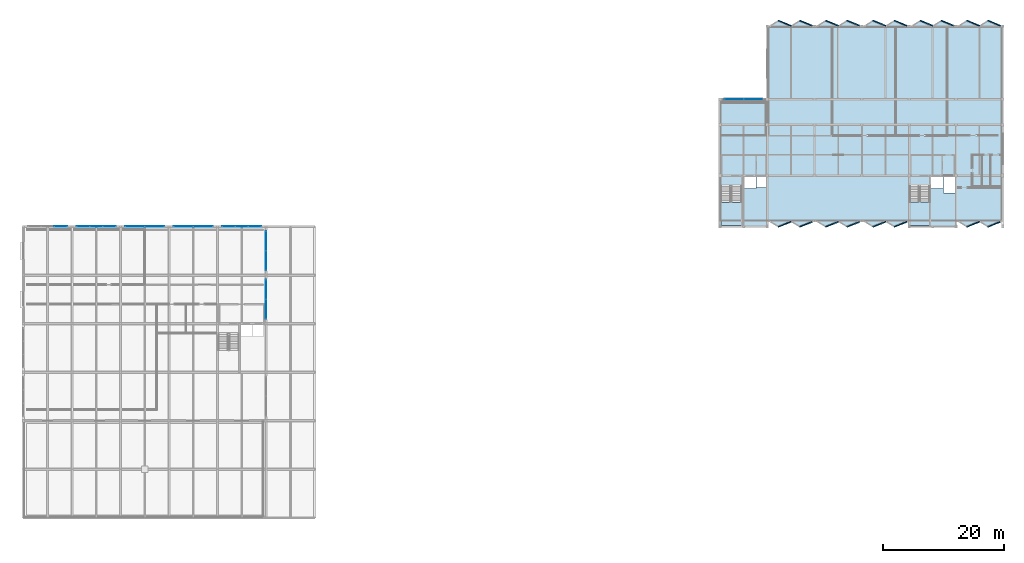
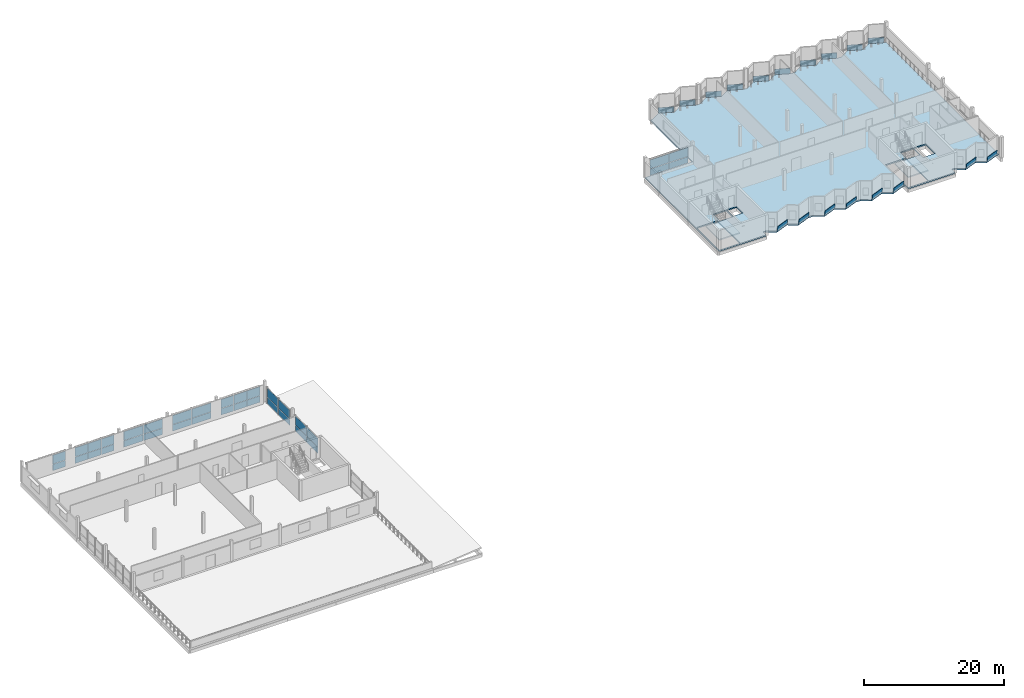
# One storey, part 12 of 25: 52 plates, 3 slabs, 10 elements without a shape of their own.
"""IFC4 building model written with IfcOpenShell, lengths in metres."""

from ifc_helpers import new_model, si_unit, direction, frame, origin, origin_2d, place, context, subcontext, project, spatial, polyline, rectangle, outline, extrude, material, layer, layer_set, type_object, element, aggregate, save


model = new_model("IFC4")

# Units and contexts
model_context = context("Model", 3, precision=1e-05, world=origin(), true_north=direction((0.0, 1.0)))
body_context = subcontext(model_context, "Body", "Model", "MODEL_VIEW")
ifc_project = project(units=[si_unit("LENGTHUNIT", "METRE"), si_unit("AREAUNIT", "SQUARE_METRE"), si_unit("VOLUMEUNIT", "CUBIC_METRE"), si_unit("PLANEANGLEUNIT", "RADIAN"), si_unit("MASSUNIT", "GRAM", prefix="KILO")], contexts=[model_context])

# Site, building, storey
site_placement = place(None, origin())
site = spatial("IfcSite", under=ifc_project, at=site_placement, CompositionType="ELEMENT")
building_placement = place(site_placement, origin())
building = spatial("IfcBuilding", under=site, at=building_placement, Name="Vharandega Faculty of Natural Sciences", CompositionType="ELEMENT")
storey_placement = place(building_placement, frame((0.0, 0.0, 25.199951171875)))
storey = spatial("IfcBuildingStorey", under=building, at=storey_placement, Name="L06", CompositionType="ELEMENT", Elevation=25.199951171875)

# Curtain wall, plates
ifc_material_1 = material(Name="Aluminium and solar-control glass curtain wall", Category="aluminium")
curtain_wall_type_1 = type_object("IfcCurtainWallType", Name="Unitised Curtain Wall System CW-28", PredefinedType="NOTDEFINED", material=ifc_material_1)
curtain_wall_1_placement = place(storey_placement, origin())
curtain_wall_1 = element("IfcCurtainWall", 1, at=curtain_wall_1_placement, inside=storey, type_object=curtain_wall_type_1, Name="Curtain Wall CW-L06-027", PredefinedType="NOTDEFINED")
ifc_material_2 = material(Name="Double-glazed low-E solar glass", Category="glass")
ifc_layer_1 = layer(ifc_material_2, 0.028076171875, Name="Double-glazed low-E solar glass")
ifc_layer_set_1 = layer_set([ifc_layer_1], Name="Double-glazed low-E solar glass")
plate_type_1 = type_object("IfcPlateType", Name="CW Solar Vision Panel 28mm", PredefinedType="CURTAIN_PANEL", material=ifc_layer_set_1)
plate_1_placement = place(storey_placement, frame((117.135009765625, 85.0, 0.06005859375), z_axis=(0.0, 0.0, 1.0), x_axis=(1.0, 0.0, 0.0)))
plate_1 = element("IfcPlate", 2, at=plate_1_placement, type_object=plate_type_1, Name="CW-28 panel 1.1", PredefinedType="CURTAIN_PANEL", context=body_context, shape_type="SweptSolid", body=[
    extrude(rectangle(XDim=3.070068359375, YDim=0.028076171875, at=origin_2d()), origin(), (0.0, 0.0, 1.0), 1.094482421875),
])
plate_2_placement = place(storey_placement, frame((117.135009765625, 85.0, 1.21435546875), z_axis=(0.0, 0.0, 1.0), x_axis=(1.0, 0.0, 0.0)))
plate_2 = element("IfcPlate", 3, at=plate_2_placement, type_object=plate_type_1, Name="CW-28 panel 1.2", PredefinedType="CURTAIN_PANEL", context=body_context, shape_type="SweptSolid", body=[
    extrude(rectangle(XDim=3.070068359375, YDim=0.028076171875, at=origin_2d()), origin(), (0.0, 0.0, 1.0), 1.545654296875),
])
plate_3_placement = place(storey_placement, frame((120.264892578125, 85.0, 0.06005859375), z_axis=(0.0, 0.0, 1.0), x_axis=(1.0, 0.0, 0.0)))
plate_3 = element("IfcPlate", 4, at=plate_3_placement, type_object=plate_type_1, Name="CW-28 panel 2.1", PredefinedType="CURTAIN_PANEL", context=body_context, shape_type="SweptSolid", body=[
    extrude(rectangle(XDim=3.070068359375, YDim=0.028076171875, at=origin_2d()), origin(), (0.0, 0.0, 1.0), 1.094482421875),
])
plate_4_placement = place(storey_placement, frame((120.264892578125, 85.0, 1.21435546875), z_axis=(0.0, 0.0, 1.0), x_axis=(1.0, 0.0, 0.0)))
plate_4 = element("IfcPlate", 5, at=plate_4_placement, type_object=plate_type_1, Name="CW-28 panel 2.2", PredefinedType="CURTAIN_PANEL", context=body_context, shape_type="SweptSolid", body=[
    extrude(rectangle(XDim=3.070068359375, YDim=0.028076171875, at=origin_2d()), origin(), (0.0, 0.0, 1.0), 1.545654296875),
])
aggregate(curtain_wall_1, [plate_1, plate_2, plate_3, plate_4])

ifc_material_3 = material(Name="Aluminium and solar-control glass curtain wall", Category="aluminium")
curtain_wall_type_2 = type_object("IfcCurtainWallType", Name="Unitised Curtain Wall System CW-23", PredefinedType="NOTDEFINED", material=ifc_material_3)
curtain_wall_2_placement = place(storey_placement, origin())
curtain_wall_2 = element("IfcCurtainWall", 6, at=curtain_wall_2_placement, inside=storey, type_object=curtain_wall_type_2, Name="Curtain Wall CW-L06-218", PredefinedType="NOTDEFINED")
plate_5_placement = place(storey_placement, frame((40.0, 50.385009765625, 0.06005859375), z_axis=(0.0, 0.0, 1.0), x_axis=(0.0, 1.0, 0.0)))
plate_5 = element("IfcPlate", 7, at=plate_5_placement, type_object=plate_type_1, Name="CW-23 panel 1.1", PredefinedType="CURTAIN_PANEL", context=body_context, shape_type="SweptSolid", body=[
    extrude(rectangle(XDim=3.169921875, YDim=0.028076171875, at=origin_2d()), origin(), (0.0, 0.0, 1.0), 1.0859375),
])
plate_6_placement = place(storey_placement, frame((40.0, 50.385009765625, 1.2060546875), z_axis=(0.0, 0.0, 1.0), x_axis=(0.0, 1.0, 0.0)))
plate_6 = element("IfcPlate", 8, at=plate_6_placement, type_object=plate_type_1, Name="CW-23 panel 1.2", PredefinedType="CURTAIN_PANEL", context=body_context, shape_type="SweptSolid", body=[
    extrude(rectangle(XDim=3.169921875, YDim=0.028076171875, at=origin_2d()), origin(), (0.0, 0.0, 1.0), 1.533935546875),
])
plate_7_placement = place(storey_placement, frame((40.0, 53.614990234375, 0.06005859375), z_axis=(0.0, 0.0, 1.0), x_axis=(0.0, 1.0, 0.0)))
plate_7 = element("IfcPlate", 9, at=plate_7_placement, type_object=plate_type_1, Name="CW-23 panel 2.1", PredefinedType="CURTAIN_PANEL", context=body_context, shape_type="SweptSolid", body=[
    extrude(rectangle(XDim=3.169921875, YDim=0.028076171875, at=origin_2d()), origin(), (0.0, 0.0, 1.0), 1.0859375),
])
plate_8_placement = place(storey_placement, frame((40.0, 53.614990234375, 1.2060546875), z_axis=(0.0, 0.0, 1.0), x_axis=(0.0, 1.0, 0.0)))
plate_8 = element("IfcPlate", 10, at=plate_8_placement, type_object=plate_type_1, Name="CW-23 panel 2.2", PredefinedType="CURTAIN_PANEL", context=body_context, shape_type="SweptSolid", body=[
    extrude(rectangle(XDim=3.169921875, YDim=0.028076171875, at=origin_2d()), origin(), (0.0, 0.0, 1.0), 1.533935546875),
])
aggregate(curtain_wall_2, [plate_5, plate_6, plate_7, plate_8])

ifc_material_4 = material(Name="Aluminium and solar-control glass curtain wall", Category="aluminium")
curtain_wall_type_3 = type_object("IfcCurtainWallType", Name="Unitised Curtain Wall System CW-24", PredefinedType="NOTDEFINED", material=ifc_material_4)
curtain_wall_3_placement = place(storey_placement, origin())
curtain_wall_3 = element("IfcCurtainWall", 11, at=curtain_wall_3_placement, inside=storey, type_object=curtain_wall_type_3, Name="Curtain Wall CW-L06-219", PredefinedType="NOTDEFINED")
plate_9_placement = place(storey_placement, frame((40.0, 58.385009765625, 0.06005859375), z_axis=(0.0, 0.0, 1.0), x_axis=(0.0, 1.0, 0.0)))
plate_9 = element("IfcPlate", 12, at=plate_9_placement, type_object=plate_type_1, Name="CW-24 panel 1.1", PredefinedType="CURTAIN_PANEL", context=body_context, shape_type="SweptSolid", body=[
    extrude(rectangle(XDim=3.169921875, YDim=0.028076171875, at=origin_2d()), origin(), (0.0, 0.0, 1.0), 1.0859375),
])
plate_10_placement = place(storey_placement, frame((40.0, 58.385009765625, 1.2060546875), z_axis=(0.0, 0.0, 1.0), x_axis=(0.0, 1.0, 0.0)))
plate_10 = element("IfcPlate", 13, at=plate_10_placement, type_object=plate_type_1, Name="CW-24 panel 1.2", PredefinedType="CURTAIN_PANEL", context=body_context, shape_type="SweptSolid", body=[
    extrude(rectangle(XDim=3.169921875, YDim=0.028076171875, at=origin_2d()), origin(), (0.0, 0.0, 1.0), 1.533935546875),
])
plate_11_placement = place(storey_placement, frame((40.0, 61.614990234375, 0.06005859375), z_axis=(0.0, 0.0, 1.0), x_axis=(0.0, 1.0, 0.0)))
plate_11 = element("IfcPlate", 14, at=plate_11_placement, type_object=plate_type_1, Name="CW-24 panel 2.1", PredefinedType="CURTAIN_PANEL", context=body_context, shape_type="SweptSolid", body=[
    extrude(rectangle(XDim=3.169921875, YDim=0.028076171875, at=origin_2d()), origin(), (0.0, 0.0, 1.0), 1.0859375),
])
plate_12_placement = place(storey_placement, frame((40.0, 61.614990234375, 1.2060546875), z_axis=(0.0, 0.0, 1.0), x_axis=(0.0, 1.0, 0.0)))
plate_12 = element("IfcPlate", 15, at=plate_12_placement, type_object=plate_type_1, Name="CW-24 panel 2.2", PredefinedType="CURTAIN_PANEL", context=body_context, shape_type="SweptSolid", body=[
    extrude(rectangle(XDim=3.169921875, YDim=0.028076171875, at=origin_2d()), origin(), (0.0, 0.0, 1.0), 1.533935546875),
])
aggregate(curtain_wall_3, [plate_9, plate_10, plate_11, plate_12])

ifc_material_5 = material(Name="Aluminium and solar-control glass curtain wall", Category="aluminium")
curtain_wall_type_4 = type_object("IfcCurtainWallType", Name="Unitised Curtain Wall System CW-25", PredefinedType="NOTDEFINED", material=ifc_material_5)
curtain_wall_4_placement = place(storey_placement, origin())
curtain_wall_4 = element("IfcCurtainWall", 16, at=curtain_wall_4_placement, inside=storey, type_object=curtain_wall_type_4, Name="Curtain Wall CW-L06-220", PredefinedType="NOTDEFINED")
plate_13_placement = place(storey_placement, frame((6.158447265625, 64.0, 0.06005859375), z_axis=(0.0, 0.0, 1.0), x_axis=(1.0, 0.0, 0.0)))
plate_13 = element("IfcPlate", 17, at=plate_13_placement, type_object=plate_type_1, Name="CW-25 panel 3.1", PredefinedType="CURTAIN_PANEL", context=body_context, shape_type="SweptSolid", body=[
    extrude(rectangle(XDim=2.083251953125, YDim=0.028076171875, at=origin_2d()), origin(), (0.0, 0.0, 1.0), 1.102783203125),
])
plate_14_placement = place(storey_placement, frame((6.158447265625, 64.0, 1.222900390625), z_axis=(0.0, 0.0, 1.0), x_axis=(1.0, 0.0, 0.0)))
plate_14 = element("IfcPlate", 18, at=plate_14_placement, type_object=plate_type_1, Name="CW-25 panel 3.2", PredefinedType="CURTAIN_PANEL", context=body_context, shape_type="SweptSolid", body=[
    extrude(rectangle(XDim=2.083251953125, YDim=0.028076171875, at=origin_2d()), origin(), (0.0, 0.0, 1.0), 1.55712890625),
])
aggregate(curtain_wall_4, [plate_13, plate_14])

ifc_material_6 = material(Name="Aluminium and solar-control glass curtain wall", Category="aluminium")
curtain_wall_type_5 = type_object("IfcCurtainWallType", Name="Unitised Curtain Wall System CW-26", PredefinedType="NOTDEFINED", material=ifc_material_6)
curtain_wall_5_placement = place(storey_placement, origin())
curtain_wall_5 = element("IfcCurtainWall", 19, at=curtain_wall_5_placement, inside=storey, type_object=curtain_wall_type_5, Name="Curtain Wall CW-L06-221", PredefinedType="NOTDEFINED")
plate_15_placement = place(storey_placement, frame((9.841552734375, 64.0, 0.06005859375), z_axis=(0.0, 0.0, 1.0), x_axis=(1.0, 0.0, 0.0)))
plate_15 = element("IfcPlate", 20, at=plate_15_placement, type_object=plate_type_1, Name="CW-26 panel 1.1", PredefinedType="CURTAIN_PANEL", context=body_context, shape_type="SweptSolid", body=[
    extrude(rectangle(XDim=2.083251953125, YDim=0.028076171875, at=origin_2d()), origin(), (0.0, 0.0, 1.0), 1.102783203125),
])
plate_16_placement = place(storey_placement, frame((9.841552734375, 64.0, 1.222900390625), z_axis=(0.0, 0.0, 1.0), x_axis=(1.0, 0.0, 0.0)))
plate_16 = element("IfcPlate", 21, at=plate_16_placement, type_object=plate_type_1, Name="CW-26 panel 1.2", PredefinedType="CURTAIN_PANEL", context=body_context, shape_type="SweptSolid", body=[
    extrude(rectangle(XDim=2.083251953125, YDim=0.028076171875, at=origin_2d()), origin(), (0.0, 0.0, 1.0), 1.55712890625),
])
plate_17_placement = place(storey_placement, frame((12.0, 64.0, 0.06005859375), z_axis=(0.0, 0.0, 1.0), x_axis=(1.0, 0.0, 0.0)))
plate_17 = element("IfcPlate", 22, at=plate_17_placement, type_object=plate_type_1, Name="CW-26 panel 2.1", PredefinedType="CURTAIN_PANEL", context=body_context, shape_type="SweptSolid", body=[
    extrude(rectangle(XDim=2.11328125, YDim=0.028076171875, at=origin_2d()), origin(), (0.0, 0.0, 1.0), 1.102783203125),
])
plate_18_placement = place(storey_placement, frame((12.0, 64.0, 1.222900390625), z_axis=(0.0, 0.0, 1.0), x_axis=(1.0, 0.0, 0.0)))
plate_18 = element("IfcPlate", 23, at=plate_18_placement, type_object=plate_type_1, Name="CW-26 panel 2.2", PredefinedType="CURTAIN_PANEL", context=body_context, shape_type="SweptSolid", body=[
    extrude(rectangle(XDim=2.11328125, YDim=0.028076171875, at=origin_2d()), origin(), (0.0, 0.0, 1.0), 1.55712890625),
])
plate_19_placement = place(storey_placement, frame((14.158447265625, 64.0, 0.06005859375), z_axis=(0.0, 0.0, 1.0), x_axis=(1.0, 0.0, 0.0)))
plate_19 = element("IfcPlate", 24, at=plate_19_placement, type_object=plate_type_1, Name="CW-26 panel 3.1", PredefinedType="CURTAIN_PANEL", context=body_context, shape_type="SweptSolid", body=[
    extrude(rectangle(XDim=2.083251953125, YDim=0.028076171875, at=origin_2d()), origin(), (0.0, 0.0, 1.0), 1.102783203125),
])
plate_20_placement = place(storey_placement, frame((14.158447265625, 64.0, 1.222900390625), z_axis=(0.0, 0.0, 1.0), x_axis=(1.0, 0.0, 0.0)))
plate_20 = element("IfcPlate", 25, at=plate_20_placement, type_object=plate_type_1, Name="CW-26 panel 3.2", PredefinedType="CURTAIN_PANEL", context=body_context, shape_type="SweptSolid", body=[
    extrude(rectangle(XDim=2.083251953125, YDim=0.028076171875, at=origin_2d()), origin(), (0.0, 0.0, 1.0), 1.55712890625),
])
aggregate(curtain_wall_5, [plate_15, plate_16, plate_17, plate_18, plate_19, plate_20])

ifc_material_7 = material(Name="Aluminium and solar-control glass curtain wall", Category="aluminium")
curtain_wall_type_6 = type_object("IfcCurtainWallType", Name="Unitised Curtain Wall System CW-27", PredefinedType="NOTDEFINED", material=ifc_material_7)
curtain_wall_6_placement = place(storey_placement, origin())
curtain_wall_6 = element("IfcCurtainWall", 26, at=curtain_wall_6_placement, inside=storey, type_object=curtain_wall_type_6, Name="Curtain Wall CW-L06-222", PredefinedType="NOTDEFINED")
plate_21_placement = place(storey_placement, frame((18.385009765625, 64.0, 0.06005859375), z_axis=(0.0, 0.0, 1.0), x_axis=(1.0, 0.0, 0.0)))
plate_21 = element("IfcPlate", 27, at=plate_21_placement, type_object=plate_type_1, Name="CW-27 panel 1.1", PredefinedType="CURTAIN_PANEL", context=body_context, shape_type="SweptSolid", body=[
    extrude(rectangle(XDim=3.169921875, YDim=0.028076171875, at=origin_2d()), origin(), (0.0, 0.0, 1.0), 1.102783203125),
])
plate_22_placement = place(storey_placement, frame((18.385009765625, 64.0, 1.222900390625), z_axis=(0.0, 0.0, 1.0), x_axis=(1.0, 0.0, 0.0)))
plate_22 = element("IfcPlate", 28, at=plate_22_placement, type_object=plate_type_1, Name="CW-27 panel 1.2", PredefinedType="CURTAIN_PANEL", context=body_context, shape_type="SweptSolid", body=[
    extrude(rectangle(XDim=3.169921875, YDim=0.028076171875, at=origin_2d()), origin(), (0.0, 0.0, 1.0), 1.55712890625),
])
plate_23_placement = place(storey_placement, frame((21.614990234375, 64.0, 0.06005859375), z_axis=(0.0, 0.0, 1.0), x_axis=(1.0, 0.0, 0.0)))
plate_23 = element("IfcPlate", 29, at=plate_23_placement, type_object=plate_type_1, Name="CW-27 panel 2.1", PredefinedType="CURTAIN_PANEL", context=body_context, shape_type="SweptSolid", body=[
    extrude(rectangle(XDim=3.169921875, YDim=0.028076171875, at=origin_2d()), origin(), (0.0, 0.0, 1.0), 1.102783203125),
])
plate_24_placement = place(storey_placement, frame((21.614990234375, 64.0, 1.222900390625), z_axis=(0.0, 0.0, 1.0), x_axis=(1.0, 0.0, 0.0)))
plate_24 = element("IfcPlate", 30, at=plate_24_placement, type_object=plate_type_1, Name="CW-27 panel 2.2", PredefinedType="CURTAIN_PANEL", context=body_context, shape_type="SweptSolid", body=[
    extrude(rectangle(XDim=3.169921875, YDim=0.028076171875, at=origin_2d()), origin(), (0.0, 0.0, 1.0), 1.55712890625),
])
aggregate(curtain_wall_6, [plate_21, plate_22, plate_23, plate_24])

curtain_wall_7_placement = place(storey_placement, origin())
curtain_wall_7 = element("IfcCurtainWall", 31, at=curtain_wall_7_placement, inside=storey, type_object=curtain_wall_type_1, Name="Curtain Wall CW-L06-223", PredefinedType="NOTDEFINED")
plate_25_placement = place(storey_placement, frame((26.385009765625, 64.0, 0.06005859375), z_axis=(0.0, 0.0, 1.0), x_axis=(1.0, 0.0, 0.0)))
plate_25 = element("IfcPlate", 32, at=plate_25_placement, type_object=plate_type_1, Name="CW-28 panel 1.1", PredefinedType="CURTAIN_PANEL", context=body_context, shape_type="SweptSolid", body=[
    extrude(rectangle(XDim=3.169921875, YDim=0.028076171875, at=origin_2d()), origin(), (0.0, 0.0, 1.0), 1.102783203125),
])
plate_26_placement = place(storey_placement, frame((26.385009765625, 64.0, 1.222900390625), z_axis=(0.0, 0.0, 1.0), x_axis=(1.0, 0.0, 0.0)))
plate_26 = element("IfcPlate", 33, at=plate_26_placement, type_object=plate_type_1, Name="CW-28 panel 1.2", PredefinedType="CURTAIN_PANEL", context=body_context, shape_type="SweptSolid", body=[
    extrude(rectangle(XDim=3.169921875, YDim=0.028076171875, at=origin_2d()), origin(), (0.0, 0.0, 1.0), 1.55712890625),
])
plate_27_placement = place(storey_placement, frame((29.614990234375, 64.0, 0.06005859375), z_axis=(0.0, 0.0, 1.0), x_axis=(1.0, 0.0, 0.0)))
plate_27 = element("IfcPlate", 34, at=plate_27_placement, type_object=plate_type_1, Name="CW-28 panel 2.1", PredefinedType="CURTAIN_PANEL", context=body_context, shape_type="SweptSolid", body=[
    extrude(rectangle(XDim=3.169921875, YDim=0.028076171875, at=origin_2d()), origin(), (0.0, 0.0, 1.0), 1.102783203125),
])
plate_28_placement = place(storey_placement, frame((29.614990234375, 64.0, 1.222900390625), z_axis=(0.0, 0.0, 1.0), x_axis=(1.0, 0.0, 0.0)))
plate_28 = element("IfcPlate", 35, at=plate_28_placement, type_object=plate_type_1, Name="CW-28 panel 2.2", PredefinedType="CURTAIN_PANEL", context=body_context, shape_type="SweptSolid", body=[
    extrude(rectangle(XDim=3.169921875, YDim=0.028076171875, at=origin_2d()), origin(), (0.0, 0.0, 1.0), 1.55712890625),
])
aggregate(curtain_wall_7, [plate_25, plate_26, plate_27, plate_28])

ifc_material_8 = material(Name="Aluminium and solar-control glass curtain wall", Category="aluminium")
curtain_wall_type_7 = type_object("IfcCurtainWallType", Name="Unitised Curtain Wall System CW-01", PredefinedType="NOTDEFINED", material=ifc_material_8)
curtain_wall_8_placement = place(storey_placement, origin())
curtain_wall_8 = element("IfcCurtainWall", 36, at=curtain_wall_8_placement, inside=storey, type_object=curtain_wall_type_7, Name="Curtain Wall CW-L06-224", PredefinedType="NOTDEFINED")
plate_29_placement = place(storey_placement, frame((33.841552734375, 64.0, 0.06005859375), z_axis=(0.0, 0.0, 1.0), x_axis=(1.0, 0.0, 0.0)))
plate_29 = element("IfcPlate", 37, at=plate_29_placement, type_object=plate_type_1, Name="CW-01 panel 1.1", PredefinedType="CURTAIN_PANEL", context=body_context, shape_type="SweptSolid", body=[
    extrude(rectangle(XDim=2.083251953125, YDim=0.028076171875, at=origin_2d()), origin(), (0.0, 0.0, 1.0), 1.102783203125),
])
plate_30_placement = place(storey_placement, frame((33.841552734375, 64.0, 1.222900390625), z_axis=(0.0, 0.0, 1.0), x_axis=(1.0, 0.0, 0.0)))
plate_30 = element("IfcPlate", 38, at=plate_30_placement, type_object=plate_type_1, Name="CW-01 panel 1.2", PredefinedType="CURTAIN_PANEL", context=body_context, shape_type="SweptSolid", body=[
    extrude(rectangle(XDim=2.083251953125, YDim=0.028076171875, at=origin_2d()), origin(), (0.0, 0.0, 1.0), 1.55712890625),
])
plate_31_placement = place(storey_placement, frame((36.0, 64.0, 0.06005859375), z_axis=(0.0, 0.0, 1.0), x_axis=(1.0, 0.0, 0.0)))
plate_31 = element("IfcPlate", 39, at=plate_31_placement, type_object=plate_type_1, Name="CW-01 panel 2.1", PredefinedType="CURTAIN_PANEL", context=body_context, shape_type="SweptSolid", body=[
    extrude(rectangle(XDim=2.11328125, YDim=0.028076171875, at=origin_2d()), origin(), (0.0, 0.0, 1.0), 1.102783203125),
])
plate_32_placement = place(storey_placement, frame((36.0, 64.0, 1.222900390625), z_axis=(0.0, 0.0, 1.0), x_axis=(1.0, 0.0, 0.0)))
plate_32 = element("IfcPlate", 40, at=plate_32_placement, type_object=plate_type_1, Name="CW-01 panel 2.2", PredefinedType="CURTAIN_PANEL", context=body_context, shape_type="SweptSolid", body=[
    extrude(rectangle(XDim=2.11328125, YDim=0.028076171875, at=origin_2d()), origin(), (0.0, 0.0, 1.0), 1.55712890625),
])
plate_33_placement = place(storey_placement, frame((38.158447265625, 64.0, 0.06005859375), z_axis=(0.0, 0.0, 1.0), x_axis=(1.0, 0.0, 0.0)))
plate_33 = element("IfcPlate", 41, at=plate_33_placement, type_object=plate_type_1, Name="CW-01 panel 3.1", PredefinedType="CURTAIN_PANEL", context=body_context, shape_type="SweptSolid", body=[
    extrude(rectangle(XDim=2.083251953125, YDim=0.028076171875, at=origin_2d()), origin(), (0.0, 0.0, 1.0), 1.102783203125),
])
plate_34_placement = place(storey_placement, frame((38.158447265625, 64.0, 1.222900390625), z_axis=(0.0, 0.0, 1.0), x_axis=(1.0, 0.0, 0.0)))
plate_34 = element("IfcPlate", 42, at=plate_34_placement, type_object=plate_type_1, Name="CW-01 panel 3.2", PredefinedType="CURTAIN_PANEL", context=body_context, shape_type="SweptSolid", body=[
    extrude(rectangle(XDim=2.083251953125, YDim=0.028076171875, at=origin_2d()), origin(), (0.0, 0.0, 1.0), 1.55712890625),
])
aggregate(curtain_wall_8, [plate_29, plate_30, plate_31, plate_32, plate_33, plate_34])

# Slab
ifc_material_9 = material(Name="Cross-laminated timber CLT7-240", Category="wood")
ifc_layer_2 = layer(ifc_material_9, 0.219970703125, Name="Cross-laminated timber CLT7-240")
ifc_layer_set_2 = layer_set([ifc_layer_2], Name="Cross-laminated timber CLT7-240")
slab_type_1 = type_object("IfcSlabType", Name="SLAB-CLT-220", PredefinedType="FLOOR", material=ifc_layer_set_2)
slab_1_placement = place(storey_placement, frame((0.0, 0.0, -0.219970703125)))
element("IfcSlab", 43, at=slab_1_placement, inside=storey, type_object=slab_type_1, Name="L06 V4 Floor Slab", PredefinedType="FLOOR", context=body_context, shape_type="SweptSolid", body=[
    extrude(outline(polyline([(114.800048828125, 64.0), (122.60009765625, 64.0), (122.60009765625, 64.8798828125), (122.97998046875, 64.8798828125), (124.387939453125, 64.0400390625), (126.5, 64.8798828125), (126.5, 64.8798828125), (127.907958984375, 64.0400390625), (130.02001953125, 64.8798828125), (130.780029296875, 64.8798828125), (132.18798828125, 64.0400390625), (134.300048828125, 64.8798828125), (134.300048828125, 64.8798828125), (135.7080078125, 64.0400390625), (137.820068359375, 64.8798828125), (138.580078125, 64.8798828125), (139.988037109375, 64.0400390625), (142.10009765625, 64.8798828125), (142.10009765625, 64.8798828125), (143.508056640625, 64.0400390625), (145.6201171875, 64.8798828125), (146.0, 64.8798828125), (146.0, 64.0), (153.699951171875, 64.0), (153.699951171875, 64.8798828125), (154.080078125, 64.8798828125), (155.468017578125, 64.0400390625), (157.550048828125, 64.8798828125), (157.550048828125, 64.8798828125), (158.93798828125, 64.0400390625), (161.02001953125, 64.8798828125), (161.39990234375, 64.8798828125), (161.39990234375, 64.0), (161.39990234375, 97.0), (161.02001953125, 97.0), (158.93798828125, 97.8798828125), (157.550048828125, 97.0), (157.550048828125, 97.0), (155.468017578125, 97.8798828125), (154.080078125, 97.0), (153.320068359375, 97.0), (151.238037109375, 97.8798828125), (149.85009765625, 97.0), (149.85009765625, 97.0), (147.76806640625, 97.8798828125), (146.3798828125, 97.0), (145.6201171875, 97.0), (143.508056640625, 97.8798828125), (142.10009765625, 97.0), (142.10009765625, 97.0), (139.988037109375, 97.8798828125), (138.580078125, 97.0), (137.820068359375, 97.0), (135.7080078125, 97.8798828125), (134.300048828125, 97.0), (134.300048828125, 97.0), (132.18798828125, 97.8798828125), (130.780029296875, 97.0), (130.02001953125, 97.0), (127.907958984375, 97.8798828125), (126.5, 97.0), (126.5, 97.0), (124.387939453125, 97.8798828125), (122.97998046875, 97.0), (122.60009765625, 97.0), (122.60009765625, 85.0), (114.800048828125, 85.0), (114.800048828125, 64.0)]), holes=[polyline([(114.93994140625, 70.544921875), (114.93994140625, 64.139892578125), (118.360107421875, 64.139892578125), (118.360107421875, 70.544921875), (114.93994140625, 70.544921875)]), polyline([(118.64990234375, 70.300048828125), (120.75, 70.300048828125), (120.75, 72.219970703125), (118.64990234375, 72.219970703125), (118.64990234375, 70.300048828125)]), polyline([(120.85009765625, 70.39990234375), (122.47998046875, 70.39990234375), (122.47998046875, 72.219970703125), (120.85009765625, 72.219970703125), (120.85009765625, 70.39990234375)]), polyline([(146.06005859375, 70.594970703125), (146.06005859375, 64.139892578125), (149.3798828125, 64.139892578125), (149.3798828125, 70.594970703125), (146.06005859375, 70.594970703125)]), polyline([(149.449951171875, 70.300048828125), (151.570068359375, 70.300048828125), (151.570068359375, 72.219970703125), (149.449951171875, 72.219970703125), (149.449951171875, 70.300048828125)]), polyline([(151.6201171875, 69.5), (153.639892578125, 69.5), (153.639892578125, 72.219970703125), (151.6201171875, 72.219970703125), (151.6201171875, 69.5)])]), origin(), (0.0, 0.0, 1.0), 0.219970703125),
])

# Plates
ifc_material_10 = material(Name="White precast concrete C40/50", Category="concrete")
ifc_layer_3 = layer(ifc_material_10, 0.080078125, Name="White precast concrete C40/50")
ifc_layer_set_3 = layer_set([ifc_layer_3], Name="White precast concrete C40/50")
plate_type_2 = type_object("IfcPlateType", Name="Sawtooth Tilted White Precast Prism 80", PredefinedType="USERDEFINED", material=ifc_layer_set_3)
for number, where, z_axis, x_axis, name in (
    (44, (124.387939453125, 97.8798828125, 0.0), (-0.382131449595, -0.917136682049, 0.113295461824), (0.043496900523, 0.104613040576, 0.993561337506), "Sawtooth Tilted Precast Prism L06 N01"),
    (45, (127.907958984375, 97.8798828125, 0.0), (-0.382131449595, -0.917136682049, 0.113295461824), (0.043496900523, 0.104613040576, 0.993561337506), "Sawtooth Tilted Precast Prism L06 N02"),
    (46, (132.18798828125, 97.8798828125, 0.0), (-0.382131449595, -0.917136682049, 0.113295461824), (0.043496900523, 0.104613040576, 0.993561337506), "Sawtooth Tilted Precast Prism L06 N03"),
    (47, (135.7080078125, 97.8798828125, 0.0), (-0.382131449595, -0.917136682049, 0.113295461824), (0.043496900523, 0.104613040576, 0.993561337506), "Sawtooth Tilted Precast Prism L06 N04"),
    (48, (139.988037109375, 97.8798828125, 0.0), (-0.382131449595, -0.917136682049, 0.113295461824), (0.043496900523, 0.104613040576, 0.993561337506), "Sawtooth Tilted Precast Prism L06 N05"),
    (49, (143.508056640625, 97.8798828125, 0.0), (-0.382131449595, -0.917136682049, 0.113295461824), (0.043496900523, 0.104613040576, 0.993561337506), "Sawtooth Tilted Precast Prism L06 N06"),
):
    element("IfcPlate", number, at=place(storey_placement, frame(where, z_axis=z_axis, x_axis=x_axis)), inside=storey, type_object=plate_type_2, Name=name, ObjectType="FACADE PRISM", PredefinedType="USERDEFINED", context=body_context, shape_type="SweptSolid", body=[
        extrude(outline(polyline([(0.0, 0.0), (0.8858432830590729, -2.4123498337802474e-18), (0.8856386139049282, -2.2881047075821503), (-0.00017912886103543801, -2.288010811333226), (0.0, 0.0)])), origin(), (0.0, 0.0, -1.0), 0.080078125),
    ])
plate_35_placement = place(storey_placement, frame((147.76806640625, 97.8798828125, 0.0), z_axis=(-0.386819123721, -0.915187539768, 0.113149160742), x_axis=(0.043772749275, 0.104339681729, 0.993577967367)))
element("IfcPlate", 50, at=plate_35_placement, inside=storey, type_object=plate_type_2, Name="Sawtooth Tilted Precast Prism L06 N07", ObjectType="FACADE PRISM", PredefinedType="USERDEFINED", context=body_context, shape_type="SweptSolid", body=[
    extrude(outline(polyline([(0.0, 0.0), (0.8858284128097864, -1.2088854223213374e-17), (0.8851324785280927, -2.2604152456547437), (-0.0006704607265840684, -2.2603202046858644), (0.0, 0.0)])), origin(), (0.0, 0.0, -1.0), 0.080078125),
])
plate_36_placement = place(storey_placement, frame((151.238037109375, 97.8798828125, 0.0), z_axis=(-0.386836017729, -0.915173849683, 0.113202121202), x_axis=(0.044027200737, 0.104289636995, 0.993571978878)))
element("IfcPlate", 51, at=plate_36_placement, inside=storey, type_object=plate_type_2, Name="Sawtooth Tilted Precast Prism L06 N08", ObjectType="FACADE PRISM", PredefinedType="USERDEFINED", context=body_context, shape_type="SweptSolid", body=[
    extrude(outline(polyline([(0.0, 0.0), (0.885839137791189, -3.415236843329339e-18), (0.885706276295778, -2.260190474155651), (-9.665132994901571e-05, -2.260320299229094), (0.0, 0.0)])), origin(), (0.0, 0.0, -1.0), 0.080078125),
])
for number, where, z_axis, x_axis, name in (
    (52, (155.468017578125, 97.8798828125, 0.0), (-0.386814425214, -0.915176423422, 0.113255085797), (0.04404782393, 0.104338420428, 0.993565943071), "Sawtooth Tilted Precast Prism L06 N09"),
    (53, (158.93798828125, 97.8798828125, 0.0), (-0.386814425214, -0.915176423422, 0.113255085797), (0.04404782393, 0.104338420428, 0.993565943071), "Sawtooth Tilted Precast Prism L06 N10"),
):
    element("IfcPlate", number, at=place(storey_placement, frame(where, z_axis=z_axis, x_axis=x_axis)), inside=storey, type_object=plate_type_2, Name=name, ObjectType="FACADE PRISM", PredefinedType="USERDEFINED", context=body_context, shape_type="SweptSolid", body=[
        extrude(outline(polyline([(0.0, 0.0), (0.8858391450049449, -4.689174395999807e-18), (0.8857170348561202, -2.260415349488305), (-9.663690164997407e-05, -2.260320302056845), (0.0, 0.0)])), origin(), (0.0, 0.0, -1.0), 0.080078125),
    ])
for number, where, z_axis, x_axis, name in (
    (54, (126.5, 64.8798828125, 0.0), (-0.36717261721, 0.923240898557, 0.113183534151), (0.041940043893, -0.105126399242, 0.993574090293), "Sawtooth Tilted Precast Prism L06 S01"),
    (55, (130.02001953125, 64.8798828125, 0.0), (-0.36717261721, 0.923240898557, 0.113183534151), (0.041940043893, -0.105126399242, 0.993574090293), "Sawtooth Tilted Precast Prism L06 S02"),
    (56, (134.300048828125, 64.8798828125, 0.0), (-0.36717261721, 0.923240898557, 0.113183534151), (0.041940043893, -0.105126399242, 0.993574090293), "Sawtooth Tilted Precast Prism L06 S03"),
    (57, (137.820068359375, 64.8798828125, 0.0), (-0.36717261721, 0.923240898557, 0.113183534151), (0.041940043893, -0.105126399242, 0.993574090293), "Sawtooth Tilted Precast Prism L06 S04"),
    (58, (142.10009765625, 64.8798828125, 0.0), (-0.36717261721, 0.923240898557, 0.113183534151), (0.041940043893, -0.105126399242, 0.993574090293), "Sawtooth Tilted Precast Prism L06 S05"),
):
    element("IfcPlate", number, at=place(storey_placement, frame(where, z_axis=z_axis, x_axis=x_axis)), inside=storey, type_object=plate_type_2, Name=name, ObjectType="FACADE PRISM", PredefinedType="USERDEFINED", context=body_context, shape_type="SweptSolid", body=[
        extrude(outline(polyline([(0.0, 0.0), (0.8858063086639586, 2.8189256484623115e-18), (0.885541811611994, -2.2730040332081765), (-0.0002901626767796289, -2.2729138085691347), (0.0, 0.0)])), origin(), (0.0, 0.0, -1.0), 0.080078125),
    ])
plate_37_placement = place(storey_placement, frame((145.6201171875, 64.8798828125, 0.0), z_axis=(-0.367193057396, 0.923238931261, 0.113133259493), x_axis=(0.041683493044, -0.105174327478, 0.993579814231)))
element("IfcPlate", 59, at=plate_37_placement, inside=storey, type_object=plate_type_2, Name="Sawtooth Tilted Precast Prism L06 S06", ObjectType="FACADE PRISM", PredefinedType="USERDEFINED", context=body_context, shape_type="SweptSolid", body=[
    extrude(outline(polyline([(0.0, 0.0), (0.8857961075491512, -4.038653092508504e-18), (0.8861239019883672, -2.2727771702079815), (0.0002919404791278668, -2.2729138056770015), (0.0, 0.0)])), origin(), (0.0, 0.0, -1.0), 0.080078125),
])
plate_38_placement = place(storey_placement, frame((157.550048828125, 64.8798828125, 0.0), z_axis=(-0.371754662438, 0.921417783443, 0.113082886903), x_axis=(0.042235924451, -0.104899344031, 0.993585554599)))
element("IfcPlate", 60, at=plate_38_placement, inside=storey, type_object=plate_type_2, Name="Sawtooth Tilted Precast Prism L06 S07", ObjectType="FACADE PRISM", PredefinedType="USERDEFINED", context=body_context, shape_type="SweptSolid", body=[
    extrude(outline(polyline([(0.0, 0.0), (0.8857909598393249, 1.5720931501039814e-18), (0.8859894254192983, -2.2449020398286774), (0.0001625438835664711, -2.245037104159077), (0.0, 0.0)])), origin(), (0.0, 0.0, -1.0), 0.080078125),
])
plate_39_placement = place(storey_placement, frame((161.02001953125, 64.8798828125, 0.0), z_axis=(-0.371733749525, 0.921419972664, 0.113133785583), x_axis=(0.042491999403, -0.10485091572, 0.993579747911)))
element("IfcPlate", 61, at=plate_39_placement, inside=storey, type_object=plate_type_2, Name="Sawtooth Tilted Precast Prism L06 S08", ObjectType="FACADE PRISM", PredefinedType="USERDEFINED", context=body_context, shape_type="SweptSolid", body=[
    extrude(outline(polyline([(0.0, 0.0), (0.8858012956791438, 3.2526065174565133e-18), (0.8854156096633148, -2.245128421392932), (-0.00041128438392465383, -2.245037075102431), (0.0, 0.0)])), origin(), (0.0, 0.0, -1.0), 0.080078125),
])

# Stair, slab
ifc_material_11 = material(Name="Concrete C40/50", Category="concrete")
stair_type_1 = type_object("IfcStairType", Name="Escape Dog-Leg Stair W165 H360", PredefinedType="HALF_TURN_STAIR", material=ifc_material_11)
stair_1_placement = place(storey_placement, origin())
stair_1 = element("IfcStair", 62, at=stair_1_placement, inside=storey, type_object=stair_type_1, Name="L06 Escape Stair ST1", PredefinedType="HALF_TURN_STAIR")
ifc_material_12 = material(Name="Concrete C40/50", Category="concrete")
ifc_layer_4 = layer(ifc_material_12, 0.199951171875, Name="Concrete C40/50")
ifc_layer_set_4 = layer_set([ifc_layer_4], Name="Concrete C40/50")
slab_type_2 = type_object("IfcSlabType", Name="Stair Half-Landing Slab 200", PredefinedType="LANDING", material=ifc_layer_set_4)
slab_2_placement = place(storey_placement, frame((0.0, 0.0, 1.60009765625)))
slab_2 = element("IfcSlab", 63, at=slab_2_placement, type_object=slab_type_2, Name="ST1 landing 1", PredefinedType="LANDING", context=body_context, shape_type="SweptSolid", body=[
    extrude(outline(polyline([(114.93994140625, 68.0), (114.93994140625, 64.139892578125), (118.360107421875, 64.139892578125), (118.360107421875, 68.0), (114.93994140625, 68.0)])), origin(), (0.0, 0.0, 1.0), 0.199951171875),
])
aggregate(stair_1, [slab_2])

ifc_material_13 = material(Name="Concrete C40/50", Category="concrete")
stair_type_2 = type_object("IfcStairType", Name="Escape Dog-Leg Stair W160 H360", PredefinedType="HALF_TURN_STAIR", material=ifc_material_13)
stair_2_placement = place(storey_placement, origin())
stair_2 = element("IfcStair", 64, at=stair_2_placement, inside=storey, type_object=stair_type_2, Name="L06 Escape Stair ST2", PredefinedType="HALF_TURN_STAIR")
slab_3_placement = place(storey_placement, frame((0.0, 0.0, 1.60009765625)))
slab_3 = element("IfcSlab", 65, at=slab_3_placement, type_object=slab_type_2, Name="ST2 landing 1", PredefinedType="LANDING", context=body_context, shape_type="SweptSolid", body=[
    extrude(outline(polyline([(146.06005859375, 68.050048828125), (146.06005859375, 64.139892578125), (149.3798828125, 64.139892578125), (149.3798828125, 68.050048828125), (146.06005859375, 68.050048828125)])), origin(), (0.0, 0.0, 1.0), 0.199951171875),
])
aggregate(stair_2, [slab_3])

save(model, "model.ifc")
